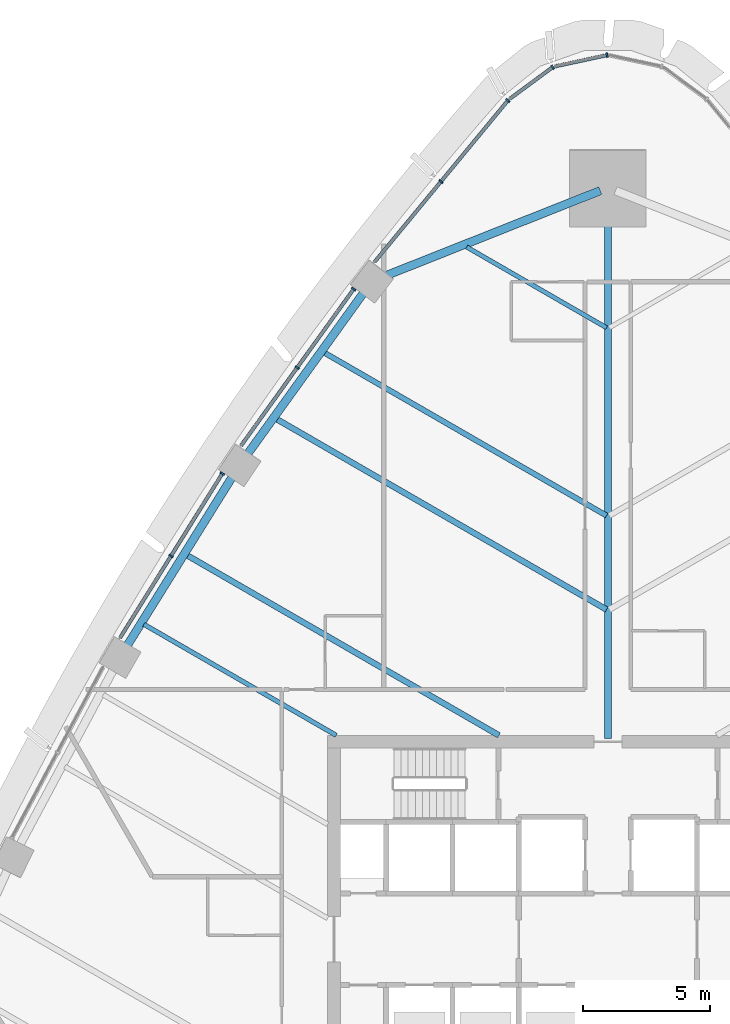
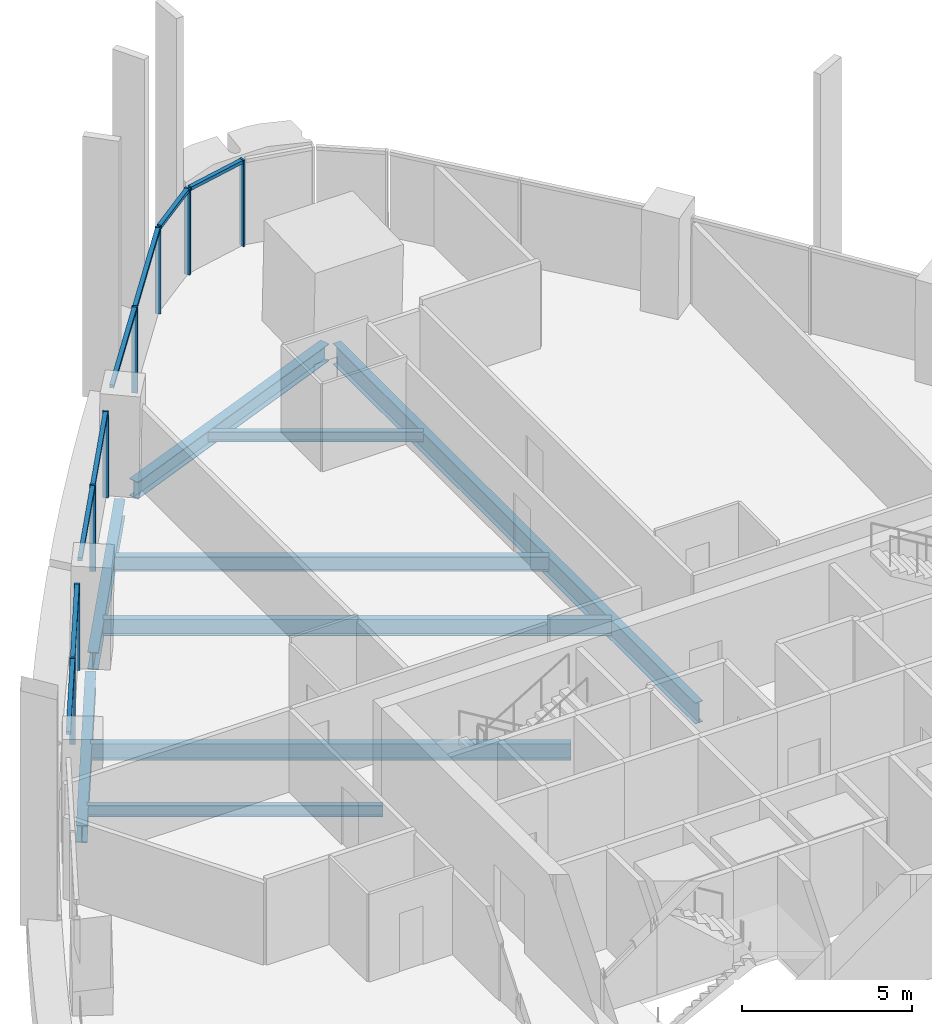
# One storey, part 6 of 22: 16 members, 9 beams, 5 elements without a shape of their own.
"""IFC4 building model written with IfcOpenShell, lengths in metres."""

import ifcopenshell
import ifcopenshell.guid

model = None  # the IFC model being written
_history = None  # IfcOwnerHistory: only IFC2X3 demands one
_inside = {}  # id of a spatial element -> (the spatial element, [elements in it])
_under = {}  # id of a project, library or spatial element -> (it, [spatial elements below it])
_declared = {}  # id of a project -> (the project, [libraries it declares])
_typed = {}  # id of a type object -> (the type object, [elements of that type])
_made_of = {}  # id of a material, layer set ... -> (it, [elements and type objects made of it])


def new_model(schema):
    """Start an empty IFC model of exactly this schema.

    Asked for "IFC4X3", IfcOpenShell would pick the latest addendum, in which some entities
    have other attributes; the version numbers below select the first issue.
    IFC2X3 requires an IfcOwnerHistory on every rooted entity: one is made here for all.
    """
    global model, _history
    if schema == "IFC4X3":
        model = ifcopenshell.file(schema_version=(4, 3, 0, 0))
    else:
        model = ifcopenshell.file(schema=schema)
    _inside.clear()
    _under.clear()
    _declared.clear()
    _typed.clear()
    _made_of.clear()
    _history = None
    if model.schema == "IFC2X3":
        org = make("IfcOrganization", Name="unknown")
        user = make(
            "IfcPersonAndOrganization",
            ThePerson=make("IfcPerson", FamilyName="unknown"),
            TheOrganization=org,
        )
        app = make(
            "IfcApplication",
            ApplicationDeveloper=org,
            Version="unknown",
            ApplicationFullName="unknown",
            ApplicationIdentifier="unknown",
        )
        _history = make(
            "IfcOwnerHistory",
            OwningUser=user,
            OwningApplication=app,
            ChangeAction="ADDED",
            CreationDate=0,
        )
    return model


def make(cls, **values):
    """One entity of the class cls with the attributes given. An attribute that is None is left unset."""
    return model.create_entity(
        cls, **{name: value for name, value in values.items() if value is not None}
    )


def rooted(cls, **values):
    """An entity with a GlobalId (a new one), such as an element, a storey or a relation."""
    return make(cls, GlobalId=ifcopenshell.guid.new(), OwnerHistory=_history, **values)


def si_unit(unit_type, name, prefix=None):
    """IfcSIUnit, for example si_unit("LENGTHUNIT", "METRE", prefix="MILLI")."""
    return make("IfcSIUnit", UnitType=unit_type, Prefix=prefix, Name=name)


def assignment(units):
    """IfcUnitAssignment: the units of a project."""
    return None if units is None else make("IfcUnitAssignment", Units=units)


def point(xyz):
    """IfcCartesianPoint."""
    return None if xyz is None else make("IfcCartesianPoint", Coordinates=xyz)


def direction(xyz):
    """IfcDirection."""
    return None if xyz is None else make("IfcDirection", DirectionRatios=xyz)


def frame(location, z_axis=None, x_axis=None):
    """IfcAxis2Placement3D, a coordinate frame: its origin and axes. An axis left out is left unset."""
    return make(
        "IfcAxis2Placement3D",
        Location=point(location),
        Axis=direction(z_axis),
        RefDirection=direction(x_axis),
    )


def frame_2d(location, x_axis=None):
    """IfcAxis2Placement2D, a coordinate frame in the plane: its origin and x axis."""
    return make(
        "IfcAxis2Placement2D", Location=point(location), RefDirection=direction(x_axis)
    )


def origin():
    """The frame at (0, 0, 0) with its axes left unset."""
    return frame((0.0, 0.0, 0.0))


def origin_2d():
    """The frame at (0, 0) in the plane with its x axis left unset."""
    return frame_2d((0.0, 0.0))


def place(relative_to, where):
    """IfcLocalPlacement: puts the frame where relative to a parent placement (None: the world)."""
    return make(
        "IfcLocalPlacement", PlacementRelTo=relative_to, RelativePlacement=where
    )


def context(
    kind, dimensions, precision=None, world=None, true_north=None, identifier=None
):
    """IfcGeometricRepresentationContext, for example the 3D "Model" context."""
    return make(
        "IfcGeometricRepresentationContext",
        ContextIdentifier=identifier,
        ContextType=kind,
        CoordinateSpaceDimension=dimensions,
        Precision=precision,
        WorldCoordinateSystem=world,
        TrueNorth=true_north,
    )


def subcontext(parent, identifier, kind, view, scale=None):
    """IfcGeometricRepresentationSubContext, for example "Body" below "Model"."""
    return make(
        "IfcGeometricRepresentationSubContext",
        ContextIdentifier=identifier,
        ContextType=kind,
        ParentContext=parent,
        TargetScale=scale,
        TargetView=view,
    )


def project(units=None, contexts=None):
    """IfcProject with its units and contexts."""
    return rooted(
        "IfcProject",
        Name="project",
        RepresentationContexts=contexts,
        UnitsInContext=assignment(units),
    )


def spatial(cls, under=None, at=None, **own):
    """A site, building, storey or space (cls), placed at a placement, below another one or the project."""
    s = rooted(cls, ObjectPlacement=at, **own)
    if under is not None:
        _under.setdefault(under.id(), (under, []))[1].append(s)
    return s


def profile(cls, at=None, kind="AREA", **sizes):
    """A parametric profile (cls). Its sizes go by their IFC names, for example OverallWidth=200.0."""
    return make(cls, ProfileType=kind, Position=at, **sizes)


def rectangle(**sizes):
    """IfcRectangleProfileDef."""
    return profile("IfcRectangleProfileDef", **sizes)


def i_section(**sizes):
    """IfcIShapeProfileDef."""
    return profile("IfcIShapeProfileDef", **sizes)


def extrude(swept, where, along, depth):
    """IfcExtrudedAreaSolid: the profile swept, set in the frame where, extruded along a direction by depth."""
    return make(
        "IfcExtrudedAreaSolid",
        SweptArea=swept,
        Position=where,
        ExtrudedDirection=direction(along),
        Depth=depth,
    )


def shape(context_of_items, identifier, shape_type, items):
    """IfcShapeRepresentation: the items that make up one representation, for example the "Body"."""
    return make(
        "IfcShapeRepresentation",
        ContextOfItems=context_of_items,
        RepresentationIdentifier=identifier,
        RepresentationType=shape_type,
        Items=items,
    )


def material(Name=None, Category=None):
    """IfcMaterial."""
    return make("IfcMaterial", Name=Name, Category=Category)


def layer(
    of_material, thickness, ventilated=None, Name=None, Category=None, Priority=None
):
    """IfcMaterialLayer: one layer of a wall or slab, of a material (None: an air gap)."""
    return make(
        "IfcMaterialLayer",
        Material=of_material,
        LayerThickness=thickness,
        IsVentilated=ventilated,
        Name=Name,
        Category=Category,
        Priority=Priority,
    )


def layer_set(layers, Name=None):
    """IfcMaterialLayerSet."""
    return make("IfcMaterialLayerSet", MaterialLayers=layers, LayerSetName=Name)


def material_profile(
    of_material, cross_section, Name=None, Category=None, Priority=None
):
    """IfcMaterialProfile: a cross section and its material."""
    return make(
        "IfcMaterialProfile",
        Name=Name,
        Material=of_material,
        Profile=cross_section,
        Priority=Priority,
        Category=Category,
    )


def profile_set(profiles, Name=None, composite=None):
    """IfcMaterialProfileSet."""
    return make(
        "IfcMaterialProfileSet",
        Name=Name,
        MaterialProfiles=profiles,
        CompositeProfile=composite,
    )


def made_of(thing, what):
    """Note that an element or type object is made of a material, layer set ...; save() writes the relation."""
    if what is not None:
        _made_of.setdefault(what.id(), (what, []))[1].append(thing)
    return thing


def type_object(cls, material=None, **own):
    """A type object (cls), such as IfcWallType, which elements share."""
    return made_of(rooted(cls, **own), material)


def element(
    cls,
    number,
    at=None,
    inside=None,
    cuts=None,
    type_object=None,
    material=None,
    context=None,
    identifier="Body",
    shape_type=None,
    held_by="IfcProductDefinitionShape",
    body=None,
    shapes=None,
    **own,
):
    """One element of the class cls, such as IfcWall. Its Tag is "e" and its number.

    at: its placement. inside: the storey or other place that contains it. cuts: it is an
    opening in that element (IfcRelVoidsElement). A single representation is given by context,
    identifier, shape_type and body (its items); several are given by shapes. held_by: the class
    of the entity that holds the representations. save() writes the other relations.
    """
    e = rooted(cls, Tag="e%d" % number, ObjectPlacement=at, **own)
    if body is not None:
        shapes = [shape(context, identifier, shape_type, body)]
    if shapes is not None:
        e.Representation = make(held_by, Representations=shapes)
    if inside is not None:
        _inside.setdefault(inside.id(), (inside, []))[1].append(e)
    if cuts is not None:
        rooted(
            "IfcRelVoidsElement", RelatingBuildingElement=cuts, RelatedOpeningElement=e
        )
    if type_object is not None:
        _typed.setdefault(type_object.id(), (type_object, []))[1].append(e)
    return made_of(e, material)


def aggregate(whole, parts):
    """IfcRelAggregates: a whole, such as a stair, and the parts it consists of."""
    return rooted("IfcRelAggregates", RelatingObject=whole, RelatedObjects=parts)


def save(model, path):
    """Write the relations noted so far, then the file.

    IfcRelAggregates (storeys below a building ...), IfcRelContainedInSpatialStructure (elements
    in a storey), IfcRelDefinesByType, IfcRelAssociatesMaterial and IfcRelDeclares: one each for
    every whole, place, type object, material and project.
    """
    for whole, parts in _under.values():
        aggregate(whole, parts)
    for where, things in _inside.values():
        rooted(
            "IfcRelContainedInSpatialStructure",
            RelatedElements=things,
            RelatingStructure=where,
        )
    for kind, things in _typed.values():
        rooted("IfcRelDefinesByType", RelatedObjects=things, RelatingType=kind)
    for what, things in _made_of.values():
        rooted("IfcRelAssociatesMaterial", RelatedObjects=things, RelatingMaterial=what)
    for by, libraries in _declared.values():
        rooted("IfcRelDeclares", RelatingContext=by, RelatedDefinitions=libraries)
    model.write(path)


model = new_model("IFC4")

# Units and contexts
model_context = context("Model", 3, precision=1e-05, world=origin(), true_north=direction((0.0, 1.0)))
body_context = subcontext(model_context, "Body", "Model", "MODEL_VIEW")
ifc_project = project(units=[si_unit("LENGTHUNIT", "METRE"), si_unit("AREAUNIT", "SQUARE_METRE"), si_unit("VOLUMEUNIT", "CUBIC_METRE"), si_unit("PLANEANGLEUNIT", "RADIAN"), si_unit("MASSUNIT", "GRAM", prefix="KILO")], contexts=[model_context])

# Site, building, storey
site_placement = place(None, origin())
site = spatial("IfcSite", under=ifc_project, at=site_placement, CompositionType="ELEMENT")
building_placement = place(site_placement, origin())
building = spatial("IfcBuilding", under=site, at=building_placement, Name="Sierra Prisma Convention Tower", CompositionType="ELEMENT")
storey_placement = place(building_placement, frame((0.0, 0.0, 103.5)))
storey = spatial("IfcBuildingStorey", under=building, at=storey_placement, Name="L22", CompositionType="ELEMENT", Elevation=103.5)

# Curtain wall, member
ifc_material_1 = material(Name="Aluminium and glass curtain wall", Category="aluminium")
ifc_layer = layer(ifc_material_1, 0.179931640625)
ifc_layer_set = layer_set([ifc_layer], Name="CW-1 Plain shaft curtain wall")
curtain_wall_type = type_object("IfcCurtainWallType", Name="CW-1 Plain shaft curtain wall", PredefinedType="NOTDEFINED", material=ifc_layer_set)
curtain_wall_1_placement = place(storey_placement, origin())
curtain_wall_1 = element("IfcCurtainWall", 1, at=curtain_wall_1_placement, inside=storey, type_object=curtain_wall_type, Name="CW-1 N3 L22", PredefinedType="NOTDEFINED")
ifc_material_2 = material(Name="Aluminium 6063-T6 bronze anodised", Category="aluminium")
ifc_material_profile_1 = material_profile(ifc_material_2, rectangle(XDim=0.179931640625, YDim=0.070068359375, at=origin_2d()), Name="ALU MULLION 70x180")
ifc_profile_set_1 = profile_set([ifc_material_profile_1], Name="Aluminium 6063-T6 bronze anodised")
member_type_1 = type_object("IfcMemberType", Name="CW mullion bronze", PredefinedType="MULLION", material=ifc_profile_set_1)
member_1_placement = place(storey_placement, frame((-0.0341796875, 34.6982421875, 0.0), z_axis=(0.0, 0.0, 1.0), x_axis=(0.210239441963, -0.977649925609, 0.0)))
member_1 = element("IfcMember", 2, at=member_1_placement, type_object=member_type_1, Name="CW-1 mullion N3.1", PredefinedType="MULLION", context=body_context, shape_type="SweptSolid", body=[
    extrude(rectangle(XDim=0.179931640625, YDim=0.070068359375, at=origin_2d()), origin(), (0.0, 0.0, 1.0), 3.10009765625),
])

curtain_wall_2_placement = place(storey_placement, origin())
curtain_wall_2 = element("IfcCurtainWall", 3, at=curtain_wall_2_placement, inside=storey, type_object=curtain_wall_type, Name="CW-1 N4 L22", PredefinedType="NOTDEFINED")
member_2_placement = place(storey_placement, frame((-2.168701171875, 34.224609375, 0.0), z_axis=(0.0, 0.0, 1.0), x_axis=(0.593547468684, -0.804798982615, 0.0)))
member_2 = element("IfcMember", 4, at=member_2_placement, type_object=member_type_1, Name="CW-1 mullion N4.1", PredefinedType="MULLION", context=body_context, shape_type="SweptSolid", body=[
    extrude(rectangle(XDim=0.179931640625, YDim=0.070068359375, at=origin_2d()), origin(), (0.0, 0.0, 1.0), 3.10009765625),
])

# Curtain wall, members
curtain_wall_3_placement = place(storey_placement, origin())
curtain_wall_3 = element("IfcCurtainWall", 5, at=curtain_wall_3_placement, inside=storey, type_object=curtain_wall_type, Name="CW-1 NW1 L22", PredefinedType="NOTDEFINED")
member_3_placement = place(storey_placement, frame((-3.925048828125, 32.9189453125, 0.0), z_axis=(0.0, 0.0, 1.0), x_axis=(0.771120493302, -0.636689237234, 0.0)))
member_3 = element("IfcMember", 6, at=member_3_placement, type_object=member_type_1, Name="CW-1 mullion NW1.1", PredefinedType="MULLION", context=body_context, shape_type="SweptSolid", body=[
    extrude(rectangle(XDim=0.179931640625, YDim=0.070068359375, at=origin_2d()), origin(), (0.0, 0.0, 1.0), 3.10009765625),
])
member_4_placement = place(storey_placement, frame((-6.550537109375, 29.73876953125, 0.0), z_axis=(0.0, 0.0, 1.0), x_axis=(0.771120493302, -0.636689237234, 0.0)))
member_4 = element("IfcMember", 7, at=member_4_placement, type_object=member_type_1, Name="CW-1 mullion NW1.2", PredefinedType="MULLION", context=body_context, shape_type="SweptSolid", body=[
    extrude(rectangle(XDim=0.179931640625, YDim=0.070068359375, at=origin_2d()), origin(), (0.0, 0.0, 1.0), 3.10009765625),
])

curtain_wall_4_placement = place(storey_placement, origin())
curtain_wall_4 = element("IfcCurtainWall", 8, at=curtain_wall_4_placement, inside=storey, type_object=curtain_wall_type, Name="CW-1 NW2 L22", PredefinedType="NOTDEFINED")
member_5_placement = place(storey_placement, frame((-9.977783203125, 25.516845703125, 0.0), z_axis=(0.0, 0.0, 1.0), x_axis=(0.811806095606, -0.583927104301, 0.0)))
member_5 = element("IfcMember", 9, at=member_5_placement, type_object=member_type_1, Name="CW-1 mullion NW2.1", PredefinedType="MULLION", context=body_context, shape_type="SweptSolid", body=[
    extrude(rectangle(XDim=0.179931640625, YDim=0.070068359375, at=origin_2d()), origin(), (0.0, 0.0, 1.0), 3.10009765625),
])
member_6_placement = place(storey_placement, frame((-12.197509765625, 22.430908203125, 0.0), z_axis=(0.0, 0.0, 1.0), x_axis=(0.811806095606, -0.583927104301, 0.0)))
member_6 = element("IfcMember", 10, at=member_6_placement, type_object=member_type_1, Name="CW-1 mullion NW2.2", PredefinedType="MULLION", context=body_context, shape_type="SweptSolid", body=[
    extrude(rectangle(XDim=0.179931640625, YDim=0.070068359375, at=origin_2d()), origin(), (0.0, 0.0, 1.0), 3.10009765625),
])

curtain_wall_5_placement = place(storey_placement, origin())
curtain_wall_5 = element("IfcCurtainWall", 11, at=curtain_wall_5_placement, inside=storey, type_object=curtain_wall_type, Name="CW-1 NW3 L22", PredefinedType="NOTDEFINED")
member_7_placement = place(storey_placement, frame((-15.13037109375, 18.279541015625, 0.0), z_axis=(0.0, 0.0, 1.0), x_axis=(0.848887960026, -0.528572824995, 0.0)))
member_7 = element("IfcMember", 12, at=member_7_placement, type_object=member_type_1, Name="CW-1 mullion NW3.1", PredefinedType="MULLION", context=body_context, shape_type="SweptSolid", body=[
    extrude(rectangle(XDim=0.179931640625, YDim=0.070068359375, at=origin_2d()), origin(), (0.0, 0.0, 1.0), 3.10009765625),
])
member_8_placement = place(storey_placement, frame((-17.148193359375, 15.0390625, 0.0), z_axis=(0.0, 0.0, 1.0), x_axis=(0.848887960026, -0.528572824995, 0.0)))
member_8 = element("IfcMember", 13, at=member_8_placement, type_object=member_type_1, Name="CW-1 mullion NW3.2", PredefinedType="MULLION", context=body_context, shape_type="SweptSolid", body=[
    extrude(rectangle(XDim=0.179931640625, YDim=0.070068359375, at=origin_2d()), origin(), (0.0, 0.0, 1.0), 3.10009765625),
])

# Member
ifc_material_3 = material(Name="Aluminium 6063-T6 bronze anodised", Category="aluminium")
ifc_material_profile_2 = material_profile(ifc_material_3, rectangle(XDim=0.139892578125, YDim=0.1201171875, at=origin_2d()), Name="ALU TRANSOM 120x140")
ifc_profile_set_2 = profile_set([ifc_material_profile_2], Name="Aluminium 6063-T6 bronze anodised")
member_type_2 = type_object("IfcMemberType", Name="CW transom bronze", PredefinedType="USERDEFINED", material=ifc_profile_set_2)
member_9_placement = place(storey_placement, frame((-0.068359375, 34.69091796875, 3.0400390625), z_axis=(-0.977646994847, -0.210253070051, 0.0), x_axis=(0.210253070051, -0.977646994847, 0.0)))
member_9 = element("IfcMember", 14, at=member_9_placement, type_object=member_type_2, Name="CW-1 transom N3.1", ObjectType="TRANSOM", PredefinedType="USERDEFINED", context=body_context, shape_type="SweptSolid", body=[
    extrude(rectangle(XDim=0.139892578125, YDim=0.1201171875, at=origin_2d()), origin(), (0.0, 0.0, 1.0), 2.049560546875),
])

aggregate(curtain_wall_1, [member_1, member_9])

member_10_placement = place(storey_placement, frame((-2.19677734375, 34.203857421875, 3.0400390625), z_axis=(-0.804819266162, -0.593519964967, 0.0), x_axis=(0.593519964967, -0.804819266162, 0.0)))
member_10 = element("IfcMember", 15, at=member_10_placement, type_object=member_type_2, Name="CW-1 transom N4.1", ObjectType="TRANSOM", PredefinedType="USERDEFINED", context=body_context, shape_type="SweptSolid", body=[
    extrude(rectangle(XDim=0.139892578125, YDim=0.1201171875, at=origin_2d()), origin(), (0.0, 0.0, 1.0), 2.0498046875),
])

aggregate(curtain_wall_2, [member_2, member_10])

member_11_placement = place(storey_placement, frame((-3.947265625, 32.891845703125, 3.0400390625), z_axis=(-0.636694664324, -0.771116012297, 0.0), x_axis=(0.771116012297, -0.636694664324, 0.0)))
member_11 = element("IfcMember", 16, at=member_11_placement, type_object=member_type_2, Name="CW-1 transom NW1.1", ObjectType="TRANSOM", PredefinedType="USERDEFINED", context=body_context, shape_type="SweptSolid", body=[
    extrude(rectangle(XDim=0.139892578125, YDim=0.1201171875, at=origin_2d()), origin(), (0.0, 0.0, 1.0), 4.053955078125),
])

member_12_placement = place(storey_placement, frame((-6.572998046875, 29.7119140625, 3.0400390625), z_axis=(-0.636665097022, -0.771140424458, 0.0), x_axis=(0.771140424458, -0.636665097022, 0.0)))
member_12 = element("IfcMember", 17, at=member_12_placement, type_object=member_type_2, Name="CW-1 transom NW1.2", ObjectType="TRANSOM", PredefinedType="USERDEFINED", context=body_context, shape_type="SweptSolid", body=[
    extrude(rectangle(XDim=0.139892578125, YDim=0.1201171875, at=origin_2d()), origin(), (0.0, 0.0, 1.0), 4.053955078125),
])

aggregate(curtain_wall_3, [member_3, member_4, member_11, member_12])

member_13_placement = place(storey_placement, frame((-9.998046875, 25.488525390625, 3.0400390625), z_axis=(-0.583958220334, -0.81178371313, 0.0), x_axis=(0.81178371313, -0.583958220334, 0.0)))
member_13 = element("IfcMember", 18, at=member_13_placement, type_object=member_type_2, Name="CW-1 transom NW2.1", ObjectType="TRANSOM", PredefinedType="USERDEFINED", context=body_context, shape_type="SweptSolid", body=[
    extrude(rectangle(XDim=0.139892578125, YDim=0.1201171875, at=origin_2d()), origin(), (0.0, 0.0, 1.0), 3.7314453125),
])

member_14_placement = place(storey_placement, frame((-12.2177734375, 22.402587890625, 3.0400390625), z_axis=(-0.583958220334, -0.81178371313, 0.0), x_axis=(0.81178371313, -0.583958220334, 0.0)))
member_14 = element("IfcMember", 19, at=member_14_placement, type_object=member_type_2, Name="CW-1 transom NW2.2", ObjectType="TRANSOM", PredefinedType="USERDEFINED", context=body_context, shape_type="SweptSolid", body=[
    extrude(rectangle(XDim=0.139892578125, YDim=0.1201171875, at=origin_2d()), origin(), (0.0, 0.0, 1.0), 3.7314453125),
])

aggregate(curtain_wall_4, [member_5, member_6, member_13, member_14])

member_15_placement = place(storey_placement, frame((-15.14892578125, 18.249755859375, 3.0400390625), z_axis=(-0.528557566926, -0.848897460501, 0.0), x_axis=(0.848897460501, -0.528557566926, 0.0)))
member_15 = element("IfcMember", 20, at=member_15_placement, type_object=member_type_2, Name="CW-1 transom NW3.1", ObjectType="TRANSOM", PredefinedType="USERDEFINED", context=body_context, shape_type="SweptSolid", body=[
    extrude(rectangle(XDim=0.139892578125, YDim=0.1201171875, at=origin_2d()), origin(), (0.0, 0.0, 1.0), 3.747314453125),
])

member_16_placement = place(storey_placement, frame((-17.166748046875, 15.00927734375, 3.0400390625), z_axis=(-0.528557566926, -0.848897460501, 0.0), x_axis=(0.848897460501, -0.528557566926, 0.0)))
member_16 = element("IfcMember", 21, at=member_16_placement, type_object=member_type_2, Name="CW-1 transom NW3.2", ObjectType="TRANSOM", PredefinedType="USERDEFINED", context=body_context, shape_type="SweptSolid", body=[
    extrude(rectangle(XDim=0.139892578125, YDim=0.1201171875, at=origin_2d()), origin(), (0.0, 0.0, 1.0), 3.747314453125),
])

aggregate(curtain_wall_5, [member_7, member_8, member_15, member_16])

# Beams
ifc_material_4 = material(Name="Steel ASTM A992 Gr 50", Category="steel")
ifc_material_profile_3 = material_profile(ifc_material_4, i_section(OverallWidth=0.172119140625, OverallDepth=0.35791015625, WebThickness=0.0078125, FlangeThickness=0.01318359375, at=origin_2d()), Name="W360x57")
ifc_profile_set_3 = profile_set([ifc_material_profile_3], Name="Steel ASTM A992 Gr 50")
beam_type_1 = type_object("IfcBeamType", Name="Floor joist W360x57", PredefinedType="JOIST", material=ifc_profile_set_3)
beam_1_placement = place(storey_placement, frame((-5.54296875, 27.167724609375, -0.3291015625), z_axis=(0.866040003818, -0.499974711147, 0.0), x_axis=(0.499974711147, 0.866040003818, 0.0)))
element("IfcBeam", 22, at=beam_1_placement, inside=storey, type_object=beam_type_1, Name="Floor joist L22 NW02", PredefinedType="JOIST", context=body_context, shape_type="SweptSolid", body=[
    extrude(i_section(OverallWidth=0.172119140625, OverallDepth=0.35791015625, WebThickness=0.0078125, FlangeThickness=0.01318359375, at=origin_2d()), origin(), (0.0, 0.0, 1.0), 6.339111328125),
])
ifc_material_5 = material(Name="Steel ASTM A992 Gr 50", Category="steel")
ifc_material_profile_4 = material_profile(ifc_material_5, i_section(OverallWidth=0.177978515625, OverallDepth=0.406982421875, WebThickness=0.0078125, FlangeThickness=0.0126953125, at=origin_2d()), Name="W410x60")
ifc_profile_set_4 = profile_set([ifc_material_profile_4], Name="Steel ASTM A992 Gr 50")
beam_type_2 = type_object("IfcBeamType", Name="Floor joist W410x60", PredefinedType="JOIST", material=ifc_profile_set_4)
beam_2_placement = place(storey_placement, frame((-18.21337890625, 12.359130859375, -0.353515625), z_axis=(0.866027033782, -0.49999717675, 0.0), x_axis=(0.49999717675, 0.866027033782, 0.0)))
element("IfcBeam", 23, at=beam_2_placement, inside=storey, type_object=beam_type_2, Name="Floor joist L22 NW08", PredefinedType="JOIST", context=body_context, shape_type="SweptSolid", body=[
    extrude(i_section(OverallWidth=0.177978515625, OverallDepth=0.406982421875, WebThickness=0.0078125, FlangeThickness=0.0126953125, at=origin_2d()), origin(), (0.0, 0.0, 1.0), 8.71826171875),
])
ifc_material_6 = material(Name="Steel ASTM A992 Gr 50", Category="steel")
ifc_material_profile_5 = material_profile(ifc_material_6, i_section(OverallWidth=0.208984375, OverallDepth=0.532958984375, WebThickness=0.01025390625, FlangeThickness=0.015625, at=origin_2d()), Name="W530x92")
ifc_profile_set_5 = profile_set([ifc_material_profile_5], Name="Steel ASTM A992 Gr 50")
beam_type_3 = type_object("IfcBeamType", Name="Floor joist W530x92", PredefinedType="JOIST", material=ifc_profile_set_5)
beam_3_placement = place(storey_placement, frame((-11.139404296875, 23.024169921875, -0.41650390625), z_axis=(0.866029332348, -0.499993195467, 0.0), x_axis=(0.499993195467, 0.866029332348, 0.0)))
element("IfcBeam", 24, at=beam_3_placement, inside=storey, type_object=beam_type_3, Name="Floor joist L22 NW04", PredefinedType="JOIST", context=body_context, shape_type="SweptSolid", body=[
    extrude(i_section(OverallWidth=0.208984375, OverallDepth=0.532958984375, WebThickness=0.01025390625, FlangeThickness=0.015625, at=origin_2d()), origin(), (0.0, 0.0, 1.0), 12.801513671875),
])
ifc_material_7 = material(Name="Steel ASTM A992 Gr 50", Category="steel")
ifc_material_profile_6 = material_profile(ifc_material_7, i_section(OverallWidth=0.22802734375, OverallDepth=0.60302734375, WebThickness=0.010498046875, FlangeThickness=0.014892578125, at=origin_2d()), Name="W610x101")
ifc_profile_set_6 = profile_set([ifc_material_profile_6], Name="Steel ASTM A992 Gr 50")
beam_type_4 = type_object("IfcBeamType", Name="Floor joist W610x101", PredefinedType="JOIST", material=ifc_profile_set_6)
beam_4_placement = place(storey_placement, frame((-13.013427734375, 20.4189453125, -0.451416015625), z_axis=(0.866026932365, -0.499997352411, 0.0), x_axis=(0.499997352411, 0.866026932365, 0.0)))
element("IfcBeam", 25, at=beam_4_placement, inside=storey, type_object=beam_type_4, Name="Floor joist L22 NW05", PredefinedType="JOIST", context=body_context, shape_type="SweptSolid", body=[
    extrude(i_section(OverallWidth=0.22802734375, OverallDepth=0.60302734375, WebThickness=0.010498046875, FlangeThickness=0.014892578125, at=origin_2d()), origin(), (0.0, 0.0, 1.0), 14.96533203125),
])
beam_5_placement = place(storey_placement, frame((-16.5244140625, 15.0712890625, -0.451416015625), z_axis=(0.866029203295, -0.499993418997, 0.0), x_axis=(0.499993418997, 0.866029203295, 0.0)))
element("IfcBeam", 26, at=beam_5_placement, inside=storey, type_object=beam_type_4, Name="Floor joist L22 NW07", PredefinedType="JOIST", context=body_context, shape_type="SweptSolid", body=[
    extrude(i_section(OverallWidth=0.22802734375, OverallDepth=0.60302734375, WebThickness=0.010498046875, FlangeThickness=0.014892578125, at=origin_2d()), origin(), (0.0, 0.0, 1.0), 14.142822265625),
])
ifc_material_8 = material(Name="Steel ASTM A992 Gr 50", Category="steel")
ifc_material_profile_7 = material_profile(ifc_material_8, i_section(OverallWidth=0.264892578125, OverallDepth=0.7529296875, WebThickness=0.01318359375, FlangeThickness=0.01708984375, at=origin_2d()), Name="W760x147")
ifc_profile_set_7 = profile_set([ifc_material_profile_7], Name="Steel ASTM A992 Gr 50")
beam_type_5 = type_object("IfcBeamType", Name="Radial girder W760x147", PredefinedType="BEAM", material=ifc_profile_set_7)
beam_6_placement = place(storey_placement, frame((0.0, 29.198486328125, -0.526611328125), z_axis=(0.0, -1.0, 0.0), x_axis=(1.0, 0.0, 0.0)))
element("IfcBeam", 27, at=beam_6_placement, inside=storey, type_object=beam_type_5, Name="Radial girder L22 N", PredefinedType="BEAM", context=body_context, shape_type="SweptSolid", body=[
    extrude(i_section(OverallWidth=0.264892578125, OverallDepth=0.7529296875, WebThickness=0.01318359375, FlangeThickness=0.01708984375, at=origin_2d()), origin(), (0.0, 0.0, 1.0), 21.318603515625),
])
ifc_material_9 = material(Name="Steel ASTM A992 Gr 50", Category="steel")
ifc_material_profile_8 = material_profile(ifc_material_9, i_section(OverallWidth=0.324951171875, OverallDepth=0.615966796875, WebThickness=0.013916015625, FlangeThickness=0.021484375, at=origin_2d()), Name="W610x174")
ifc_profile_set_8 = profile_set([ifc_material_profile_8], Name="Steel ASTM A992 Gr 50")
beam_type_6 = type_object("IfcBeamType", Name="Spandrel beam W610x174", PredefinedType="BEAM", material=ifc_profile_set_8)
beam_7_placement = place(storey_placement, frame((-0.300048828125, 29.379638671875, -0.4580078125), z_axis=(-0.92956851511, -0.368649394027, 0.0), x_axis=(0.368649394027, -0.92956851511, 0.0)))
element("IfcBeam", 28, at=beam_7_placement, inside=storey, type_object=beam_type_6, Name="Spandrel L22-13", PredefinedType="BEAM", context=body_context, shape_type="SweptSolid", body=[
    extrude(i_section(OverallWidth=0.324951171875, OverallDepth=0.615966796875, WebThickness=0.013916015625, FlangeThickness=0.021484375, at=origin_2d()), origin(), (0.0, 0.0, 1.0), 9.06494140625),
])
beam_8_placement = place(storey_placement, frame((-9.544189453125, 25.434814453125, -0.4580078125), z_axis=(-0.58393160979, -0.811802854816, 0.0), x_axis=(0.811802854816, -0.58393160979, 0.0)))
element("IfcBeam", 29, at=beam_8_placement, inside=storey, type_object=beam_type_6, Name="Spandrel L22-14", PredefinedType="BEAM", context=body_context, shape_type="SweptSolid", body=[
    extrude(i_section(OverallWidth=0.324951171875, OverallDepth=0.615966796875, WebThickness=0.013916015625, FlangeThickness=0.021484375, at=origin_2d()), origin(), (0.0, 0.0, 1.0), 7.930419921875),
])
beam_9_placement = place(storey_placement, frame((-14.70947265625, 18.19921875, -0.4580078125), z_axis=(-0.52857310264, -0.848887787146, 0.0), x_axis=(0.848887787146, -0.52857310264, 0.0)))
element("IfcBeam", 30, at=beam_9_placement, inside=storey, type_object=beam_type_6, Name="Spandrel L22-15", PredefinedType="BEAM", context=body_context, shape_type="SweptSolid", body=[
    extrude(i_section(OverallWidth=0.324951171875, OverallDepth=0.615966796875, WebThickness=0.013916015625, FlangeThickness=0.021484375, at=origin_2d()), origin(), (0.0, 0.0, 1.0), 7.9306640625),
])

save(model, "model.ifc")
